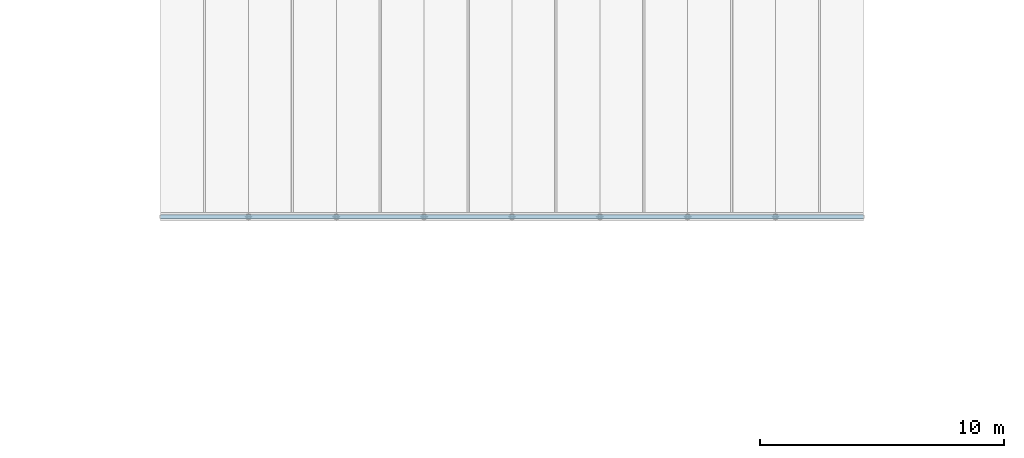
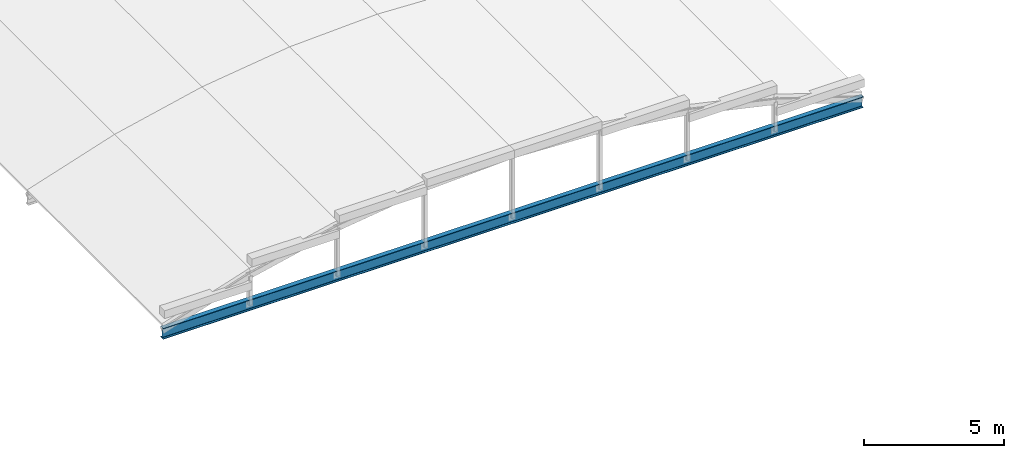
# One storey, part 7 of 70: 1 beam.
"""IFC4 building model written with IfcOpenShell, lengths in metres."""

from ifc_helpers import new_model, si_unit, direction, frame, origin, origin_2d, place, context, subcontext, project, spatial, i_section, extrude, material, material_profile, profile_set, type_object, element, save


model = new_model("IFC4")

# Units and contexts
model_context = context("Model", 3, precision=1e-05, world=origin(), true_north=direction((0.0, 1.0)))
body_context = subcontext(model_context, "Body", "Model", "MODEL_VIEW")
ifc_project = project(units=[si_unit("LENGTHUNIT", "METRE"), si_unit("AREAUNIT", "SQUARE_METRE"), si_unit("VOLUMEUNIT", "CUBIC_METRE"), si_unit("PLANEANGLEUNIT", "RADIAN"), si_unit("MASSUNIT", "GRAM", prefix="KILO")], contexts=[model_context])

# Site, building, storey
site_placement = place(None, origin())
site = spatial("IfcSite", under=ifc_project, at=site_placement, CompositionType="ELEMENT")
building_placement = place(site_placement, origin())
building = spatial("IfcBuilding", under=site, at=building_placement, Name="Mavantir Sound Aquarium", CompositionType="ELEMENT")
storey_placement = place(building_placement, frame((0.0, 0.0, 27.0)))
storey = spatial("IfcBuildingStorey", under=building, at=storey_placement, Name="RF", CompositionType="ELEMENT", Elevation=27.0)

# Beam
ifc_material = material(Name="Structural Steel ASTM A992 Gr50", Category="steel")
ifc_material_profile = material_profile(ifc_material, i_section(OverallWidth=0.194091796875, OverallDepth=0.468994140625, WebThickness=0.0126953125, FlangeThickness=0.0205078125, FilletRadius=0.01611328125, at=origin_2d()), Name="W460X106")
ifc_profile_set = profile_set([ifc_material_profile], Name="Structural Steel ASTM A992 Gr50")
beam_type = type_object("IfcBeamType", Name="BM-W460X106-E", PredefinedType="BEAM", material=ifc_profile_set)
beam_placement = place(storey_placement, frame((67.199951171875, 14.39990234375, -16.72998046875), z_axis=(1.0, 0.0, 0.0), x_axis=(0.0, 1.0, 0.0)))
element("IfcBeam", 1, at=beam_placement, inside=storey, type_object=beam_type, Name="V7 entry vault tie girder 49", PredefinedType="BEAM", context=body_context, shape_type="SweptSolid", body=[
    extrude(i_section(OverallWidth=0.194091796875, OverallDepth=0.468994140625, WebThickness=0.0126953125, FlangeThickness=0.0205078125, FilletRadius=0.01611328125, at=origin_2d()), origin(), (0.0, 0.0, 1.0), 28.800048828125),
])

save(model, "model.ifc")
